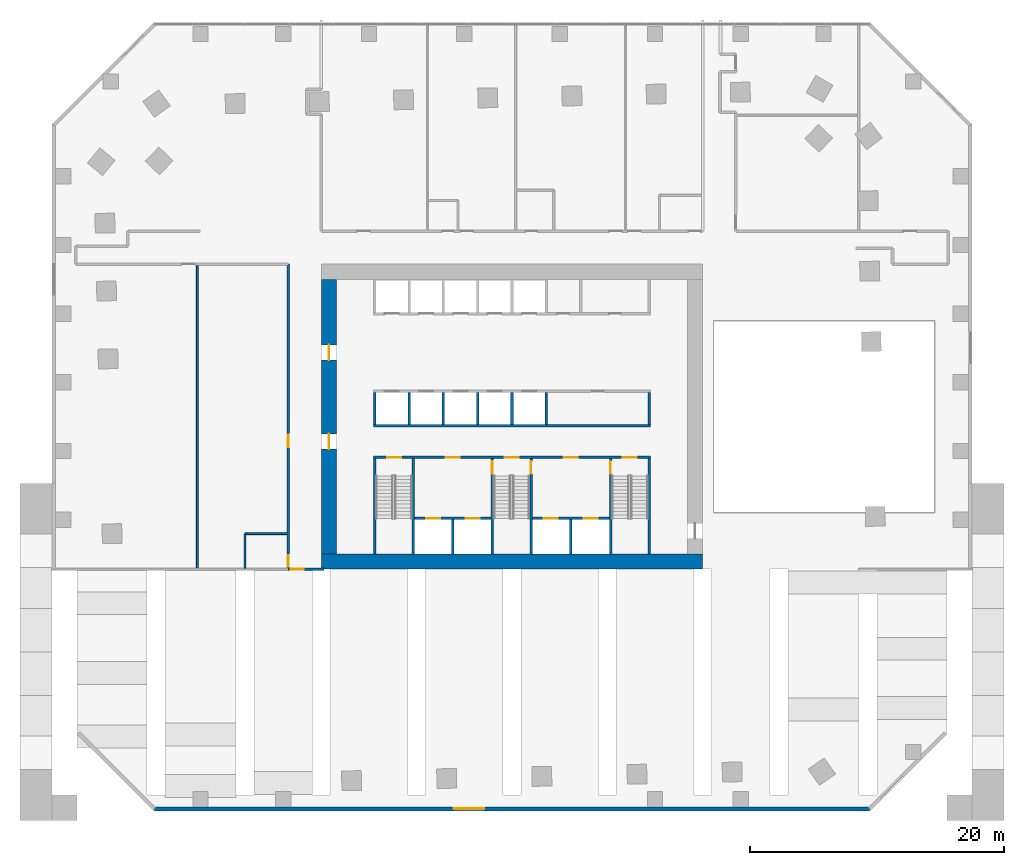
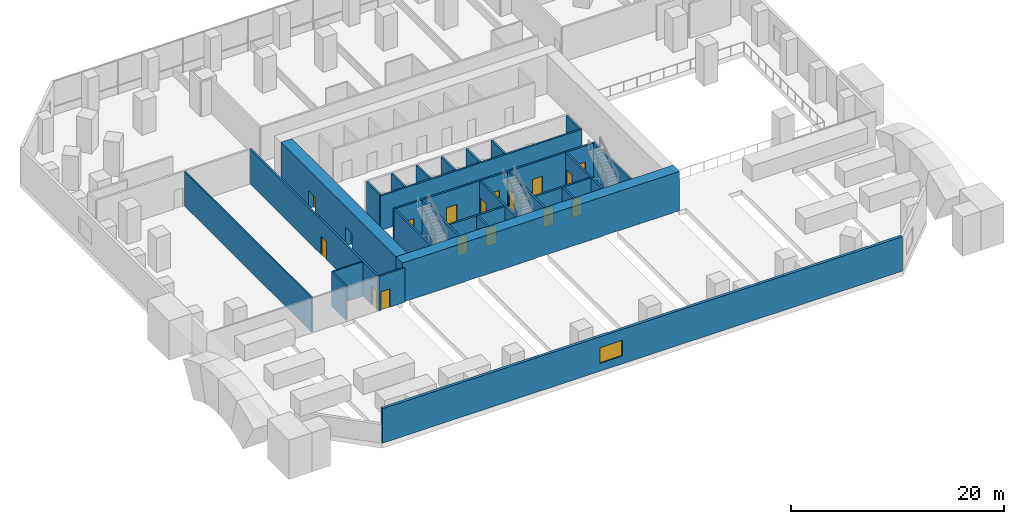
# One storey, part 7 of 13: 27 walls, 17 doors, 1 window, 18 openings.
"""IFC4 building model written with IfcOpenShell, lengths in metres."""

from ifc_helpers import new_model, si_unit, direction, frame, frame_2d, origin, place, context, subcontext, project, spatial, rectangle, extrude, material, layer, layer_set, type_object, element, fill, save


model = new_model("IFC4")

# Units and contexts
model_context = context("Model", 3, precision=1e-05, world=origin(), true_north=direction((0.0, 1.0)))
body_context = subcontext(model_context, "Body", "Model", "MODEL_VIEW")
ifc_project = project(units=[si_unit("LENGTHUNIT", "METRE"), si_unit("AREAUNIT", "SQUARE_METRE"), si_unit("VOLUMEUNIT", "CUBIC_METRE"), si_unit("PLANEANGLEUNIT", "RADIAN"), si_unit("MASSUNIT", "GRAM", prefix="KILO")], contexts=[model_context])

# Site, building, storey
site_placement = place(None, origin())
site = spatial("IfcSite", under=ifc_project, at=site_placement, CompositionType="ELEMENT")
building_placement = place(site_placement, origin())
building = spatial("IfcBuilding", under=site, at=building_placement, Name="Mangrove Gate Tower", CompositionType="ELEMENT")
storey_placement = place(building_placement, frame((0.0, 0.0, 20.5)))
storey = spatial("IfcBuildingStorey", under=building, at=storey_placement, Name="L04", CompositionType="ELEMENT", Elevation=20.5)

# Walls
ifc_material_1 = material(Name="Concrete C32/40", Category="concrete")
ifc_layer_1 = layer(ifc_material_1, 0.199951171875)
ifc_layer_set_1 = layer_set([ifc_layer_1], Name="Core room wall 200 C32/40")
wall_type_1 = type_object("IfcWallType", Name="Core room wall 200 C32/40", PredefinedType="STANDARD", material=ifc_layer_set_1)
wall_1_placement = place(storey_placement, frame((10.800048828125, -0.60009765625, 0.0), z_axis=(0.0, 0.0, 1.0), x_axis=(0.0, 1.0, 0.0)))
element("IfcWall", 1, at=wall_1_placement, inside=storey, type_object=wall_type_1, Name="WALL-L04-CORE-25", PredefinedType="STANDARD", context=body_context, shape_type="SweptSolid", body=[
    extrude(rectangle(XDim=2.5, YDim=0.199951171875, at=frame_2d((1.25, 0.0))), origin(), (0.0, 0.0, 1.0), 3.949951171875),
])
ifc_material_2 = material(Name="Concrete C70/85", Category="concrete")
ifc_layer_2 = layer(ifc_material_2, 0.199951171875)
ifc_layer_set_2 = layer_set([ifc_layer_2], Name="Core shaft wall 200 C70/85")
wall_type_2 = type_object("IfcWallType", Name="Core shaft wall 200 C70/85", PredefinedType="SHEAR", material=ifc_layer_set_2)
wall_2_placement = place(storey_placement, frame((-10.89990234375, -0.699951171875, 0.0), z_axis=(0.0, 0.0, 1.0), x_axis=(1.0, 0.0, 0.0)))
element("IfcWall", 2, at=wall_2_placement, inside=storey, type_object=wall_type_2, Name="WALL-L04-CORE-6", PredefinedType="SHEAR", context=body_context, shape_type="SweptSolid", body=[
    extrude(rectangle(XDim=21.7998046875, YDim=0.199951171875, at=frame_2d((10.89990234375, 0.0))), origin(), (0.0, 0.0, 1.0), 3.949951171875),
])

# Wall, openings, doors
wall_3_placement = place(storey_placement, frame((-7.64990234375, -8.0, 0.0), z_axis=(0.0, 0.0, 1.0), x_axis=(1.0, 0.0, 0.0)))
wall_3 = element("IfcWall", 3, at=wall_3_placement, inside=storey, type_object=wall_type_2, Name="WALL-L04-CORE-15", PredefinedType="SHEAR", context=body_context, shape_type="SweptSolid", body=[
    extrude(rectangle(XDim=6.0, YDim=0.199951171875, at=frame_2d((3.0, 0.0))), origin(), (0.0, 0.0, 1.0), 3.949951171875),
])
opening_1_placement = place(wall_3_placement, frame((0.89990234375, 0.0, 0.0)))
opening_1 = element("IfcOpeningElement", 4, at=opening_1_placement, cuts=wall_3, Name="Opening LD", PredefinedType="OPENING", context=body_context, shape_type="SweptSolid", body=[
    extrude(rectangle(XDim=1.10009765625, YDim=2.10009765625, at=frame_2d((0.550048828125, 1.050048828125))), frame((0.0, 0.10986328125, 0.0), z_axis=(0.0, -1.0, 0.0), x_axis=(1.0, 0.0, 0.0)), (0.0, 0.0, 1.0), 0.219970703125),
])
opening_2_placement = place(wall_3_placement, frame((4.0, 0.0, 0.0)))
opening_2 = element("IfcOpeningElement", 5, at=opening_2_placement, cuts=wall_3, Name="Opening LD", PredefinedType="OPENING", context=body_context, shape_type="SweptSolid", body=[
    extrude(rectangle(XDim=1.10009765625, YDim=2.10009765625, at=frame_2d((0.550048828125, 1.050048828125))), frame((0.0, 0.10986328125, 0.0), z_axis=(0.0, -1.0, 0.0), x_axis=(1.0, 0.0, 0.0)), (0.0, 0.0, 1.0), 0.219970703125),
])
ifc_material_3 = material(Name="Stainless steel 316", Category="steel")
door_type_1 = type_object("IfcDoorType", Name="Lift landing door 1100x2100", OperationType="SLIDING_TO_LEFT", PredefinedType="DOOR", material=ifc_material_3)
door_1_placement = place(opening_1_placement, origin())
door_1 = element("IfcDoor", 6, at=door_1_placement, inside=storey, type_object=door_type_1, Name="Landing door LD SVL1", OperationType="SLIDING_TO_LEFT", OverallHeight=2.10009765625, OverallWidth=1.10009765625, PredefinedType="DOOR", context=body_context, shape_type="SweptSolid", body=[
    extrude(rectangle(XDim=1.10009765625, YDim=2.10009765625, at=frame_2d((0.550048828125, 1.050048828125))), frame((0.0, 0.02490234375, 0.0), z_axis=(0.0, -1.0, 0.0), x_axis=(1.0, 0.0, 0.0)), (0.0, 0.0, 1.0), 0.050048828125),
])
fill(opening_1, door_1)
door_2_placement = place(opening_2_placement, origin())
door_2 = element("IfcDoor", 7, at=door_2_placement, inside=storey, type_object=door_type_1, Name="Landing door LD SVL2", OperationType="SLIDING_TO_LEFT", OverallHeight=2.10009765625, OverallWidth=1.10009765625, PredefinedType="DOOR", context=body_context, shape_type="SweptSolid", body=[
    extrude(rectangle(XDim=1.10009765625, YDim=2.10009765625, at=frame_2d((0.550048828125, 1.050048828125))), frame((0.0, 0.02490234375, 0.0), z_axis=(0.0, -1.0, 0.0), x_axis=(1.0, 0.0, 0.0)), (0.0, 0.0, 1.0), 0.050048828125),
])
fill(opening_2, door_2)

# Wall
wall_4_placement = place(storey_placement, frame((-4.64990234375, -10.800048828125, 0.0), z_axis=(0.0, 0.0, 1.0), x_axis=(0.0, 1.0, 0.0)))
element("IfcWall", 8, at=wall_4_placement, inside=storey, type_object=wall_type_2, Name="WALL-L04-CORE-16", PredefinedType="SHEAR", context=body_context, shape_type="SweptSolid", body=[
    extrude(rectangle(XDim=2.699951171875, YDim=0.199951171875, at=frame_2d((1.35009765625, 0.0))), origin(), (0.0, 0.0, 1.0), 3.949951171875),
])

# Wall, openings, doors
wall_5_placement = place(storey_placement, frame((1.60009765625, -8.0, 0.0), z_axis=(0.0, 0.0, 1.0), x_axis=(1.0, 0.0, 0.0)))
wall_5 = element("IfcWall", 9, at=wall_5_placement, inside=storey, type_object=wall_type_2, Name="WALL-L04-CORE-17", PredefinedType="SHEAR", context=body_context, shape_type="SweptSolid", body=[
    extrude(rectangle(XDim=6.0498046875, YDim=0.199951171875, at=frame_2d((3.02490234375, 0.0))), origin(), (0.0, 0.0, 1.0), 3.949951171875),
])
opening_3_placement = place(wall_5_placement, frame((0.91259765625, 0.0, 0.0)))
opening_3 = element("IfcOpeningElement", 10, at=opening_3_placement, cuts=wall_5, Name="Opening LD", PredefinedType="OPENING", context=body_context, shape_type="SweptSolid", body=[
    extrude(rectangle(XDim=1.10009765625, YDim=2.10009765625, at=frame_2d((0.550048828125, 1.050048828125))), frame((0.0, 0.10986328125, 0.0), z_axis=(0.0, -1.0, 0.0), x_axis=(1.0, 0.0, 0.0)), (0.0, 0.0, 1.0), 0.219970703125),
])
opening_4_placement = place(wall_5_placement, frame((4.03759765625, 0.0, 0.0)))
opening_4 = element("IfcOpeningElement", 11, at=opening_4_placement, cuts=wall_5, Name="Opening LD", PredefinedType="OPENING", context=body_context, shape_type="SweptSolid", body=[
    extrude(rectangle(XDim=1.10009765625, YDim=2.10009765625, at=frame_2d((0.550048828125, 1.050048828125))), frame((0.0, 0.10986328125, 0.0), z_axis=(0.0, -1.0, 0.0), x_axis=(1.0, 0.0, 0.0)), (0.0, 0.0, 1.0), 0.219970703125),
])
door_3_placement = place(opening_3_placement, origin())
door_3 = element("IfcDoor", 12, at=door_3_placement, inside=storey, type_object=door_type_1, Name="Landing door LD FFL1", OperationType="SLIDING_TO_LEFT", OverallHeight=2.10009765625, OverallWidth=1.10009765625, PredefinedType="DOOR", context=body_context, shape_type="SweptSolid", body=[
    extrude(rectangle(XDim=1.10009765625, YDim=2.10009765625, at=frame_2d((0.550048828125, 1.050048828125))), frame((0.0, 0.02490234375, 0.0), z_axis=(0.0, -1.0, 0.0), x_axis=(1.0, 0.0, 0.0)), (0.0, 0.0, 1.0), 0.050048828125),
])
fill(opening_3, door_3)
door_4_placement = place(opening_4_placement, origin())
door_4 = element("IfcDoor", 13, at=door_4_placement, inside=storey, type_object=door_type_1, Name="Landing door LD FFL2", OperationType="SLIDING_TO_LEFT", OverallHeight=2.10009765625, OverallWidth=1.10009765625, PredefinedType="DOOR", context=body_context, shape_type="SweptSolid", body=[
    extrude(rectangle(XDim=1.10009765625, YDim=2.10009765625, at=frame_2d((0.550048828125, 1.050048828125))), frame((0.0, 0.02490234375, 0.0), z_axis=(0.0, -1.0, 0.0), x_axis=(1.0, 0.0, 0.0)), (0.0, 0.0, 1.0), 0.050048828125),
])
fill(opening_4, door_4)

# Walls
wall_6_placement = place(storey_placement, frame((4.625, -10.800048828125, 0.0), z_axis=(0.0, 0.0, 1.0), x_axis=(0.0, 1.0, 0.0)))
element("IfcWall", 14, at=wall_6_placement, inside=storey, type_object=wall_type_2, Name="WALL-L04-CORE-18", PredefinedType="SHEAR", context=body_context, shape_type="SweptSolid", body=[
    extrude(rectangle(XDim=2.699951171875, YDim=0.199951171875, at=frame_2d((1.35009765625, 0.0))), origin(), (0.0, 0.0, 1.0), 3.949951171875),
])
for number, where, z_axis, x_axis, name in (
    (15, (-10.800048828125, -0.60009765625, 0.0), (0.0, 0.0, 1.0), (0.0, 1.0, 0.0), "WALL-L04-CORE-19"),
    (16, (-8.10009765625, -0.60009765625, 0.0), (0.0, 0.0, 1.0), (0.0, 1.0, 0.0), "WALL-L04-CORE-20"),
    (17, (-5.39990234375, -0.60009765625, 0.0), (0.0, 0.0, 1.0), (0.0, 1.0, 0.0), "WALL-L04-CORE-21"),
    (18, (-2.699951171875, -0.60009765625, 0.0), (0.0, 0.0, 1.0), (0.0, 1.0, 0.0), "WALL-L04-CORE-22"),
    (19, (0.0, -0.60009765625, 0.0), (0.0, 0.0, 1.0), (0.0, 1.0, 0.0), "WALL-L04-CORE-23"),
    (20, (2.699951171875, -0.60009765625, 0.0), (0.0, 0.0, 1.0), (0.0, 1.0, 0.0), "WALL-L04-CORE-24"),
):
    element("IfcWall", number, at=place(storey_placement, frame(where, z_axis=z_axis, x_axis=x_axis)), inside=storey, type_object=wall_type_2, Name=name, PredefinedType="SHEAR", context=body_context, shape_type="SweptSolid", body=[
        extrude(rectangle(XDim=2.5, YDim=0.199951171875, at=frame_2d((1.25, 0.0))), origin(), (0.0, 0.0, 1.0), 3.949951171875),
    ])

# Wall, openings, doors
ifc_material_4 = material(Name="Concrete C70/85", Category="concrete")
ifc_layer_3 = layer(ifc_material_4, 0.199951171875)
ifc_layer_set_3 = layer_set([ifc_layer_3], Name="Core stair wall 200 C70/85")
wall_type_3 = type_object("IfcWallType", Name="Core stair wall 200 C70/85", PredefinedType="SHEAR", material=ifc_layer_set_3)
wall_7_placement = place(storey_placement, frame((-10.89990234375, -3.199951171875, 0.0), z_axis=(0.0, 0.0, 1.0), x_axis=(1.0, 0.0, 0.0)))
wall_7 = element("IfcWall", 21, at=wall_7_placement, inside=storey, type_object=wall_type_3, Name="WALL-L04-CORE-5", PredefinedType="SHEAR", context=body_context, shape_type="SweptSolid", body=[
    extrude(rectangle(XDim=21.7998046875, YDim=0.199951171875, at=frame_2d((10.89990234375, 0.0))), origin(), (0.0, 0.0, 1.0), 3.949951171875),
])
opening_5_placement = place(wall_7_placement, frame((1.074951171875, 0.0, 0.0)))
opening_5 = element("IfcOpeningElement", 22, at=opening_5_placement, cuts=wall_7, Name="Opening STD11", PredefinedType="OPENING", context=body_context, shape_type="SweptSolid", body=[
    extrude(rectangle(XDim=1.10009765625, YDim=2.10009765625, at=frame_2d((0.550048828125, 1.050048828125))), frame((0.0, 0.10986328125, 0.0), z_axis=(0.0, -1.0, 0.0), x_axis=(1.0, 0.0, 0.0)), (0.0, 0.0, 1.0), 0.219970703125),
])
opening_6_placement = place(wall_7_placement, frame((10.324951171875, 0.0, 0.0)))
opening_6 = element("IfcOpeningElement", 23, at=opening_6_placement, cuts=wall_7, Name="Opening STD11", PredefinedType="OPENING", context=body_context, shape_type="SweptSolid", body=[
    extrude(rectangle(XDim=1.10009765625, YDim=2.10009765625, at=frame_2d((0.550048828125, 1.050048828125))), frame((0.0, 0.10986328125, 0.0), z_axis=(0.0, -1.0, 0.0), x_axis=(1.0, 0.0, 0.0)), (0.0, 0.0, 1.0), 0.219970703125),
])
opening_7_placement = place(wall_7_placement, frame((19.625, 0.0, 0.0)))
opening_7 = element("IfcOpeningElement", 24, at=opening_7_placement, cuts=wall_7, Name="Opening STD11", PredefinedType="OPENING", context=body_context, shape_type="SweptSolid", body=[
    extrude(rectangle(XDim=1.10009765625, YDim=2.10009765625, at=frame_2d((0.550048828125, 1.050048828125))), frame((0.0, 0.10986328125, 0.0), z_axis=(0.0, -1.0, 0.0), x_axis=(1.0, 0.0, 0.0)), (0.0, 0.0, 1.0), 0.219970703125),
])
opening_8_placement = place(wall_7_placement, frame((5.699951171875, 0.0, 0.0)))
opening_8 = element("IfcOpeningElement", 25, at=opening_8_placement, cuts=wall_7, Name="Opening FL", PredefinedType="OPENING", context=body_context, shape_type="SweptSolid", body=[
    extrude(rectangle(XDim=1.10009765625, YDim=2.10009765625, at=frame_2d((0.550048828125, 1.050048828125))), frame((0.0, 0.10986328125, 0.0), z_axis=(0.0, -1.0, 0.0), x_axis=(1.0, 0.0, 0.0)), (0.0, 0.0, 1.0), 0.219970703125),
])
opening_9_placement = place(wall_7_placement, frame((14.97509765625, 0.0, 0.0)))
opening_9 = element("IfcOpeningElement", 26, at=opening_9_placement, cuts=wall_7, Name="Opening FL", PredefinedType="OPENING", context=body_context, shape_type="SweptSolid", body=[
    extrude(rectangle(XDim=1.10009765625, YDim=2.10009765625, at=frame_2d((0.550048828125, 1.050048828125))), frame((0.0, 0.10986328125, 0.0), z_axis=(0.0, -1.0, 0.0), x_axis=(1.0, 0.0, 0.0)), (0.0, 0.0, 1.0), 0.219970703125),
])
ifc_material_5 = material(Name="Fire-rated steel door set", Category="steel")
door_type_2 = type_object("IfcDoorType", Name="Lobby door FD60 1100x2100", OperationType="SINGLE_SWING_LEFT", PredefinedType="DOOR", material=ifc_material_5)
door_5_placement = place(opening_8_placement, origin())
door_5 = element("IfcDoor", 27, at=door_5_placement, inside=storey, type_object=door_type_2, Name="Lobby door service lobby", OperationType="SINGLE_SWING_LEFT", OverallHeight=2.10009765625, OverallWidth=1.10009765625, PredefinedType="DOOR", context=body_context, shape_type="SweptSolid", body=[
    extrude(rectangle(XDim=1.10009765625, YDim=2.10009765625, at=frame_2d((0.550048828125, 1.050048828125))), frame((0.0, 0.02490234375, 0.0), z_axis=(0.0, -1.0, 0.0), x_axis=(1.0, 0.0, 0.0)), (0.0, 0.0, 1.0), 0.050048828125),
])
fill(opening_8, door_5)
door_6_placement = place(opening_9_placement, origin())
door_6 = element("IfcDoor", 28, at=door_6_placement, inside=storey, type_object=door_type_2, Name="Lobby door fire-fighting lobby", OperationType="SINGLE_SWING_LEFT", OverallHeight=2.10009765625, OverallWidth=1.10009765625, PredefinedType="DOOR", context=body_context, shape_type="SweptSolid", body=[
    extrude(rectangle(XDim=1.10009765625, YDim=2.10009765625, at=frame_2d((0.550048828125, 1.050048828125))), frame((0.0, 0.02490234375, 0.0), z_axis=(0.0, -1.0, 0.0), x_axis=(1.0, 0.0, 0.0)), (0.0, 0.0, 1.0), 0.050048828125),
])
fill(opening_9, door_6)
ifc_material_6 = material(Name="Fire-rated steel door set", Category="steel")
door_type_3 = type_object("IfcDoorType", Name="Stair door FD60 1100x2100", OperationType="SINGLE_SWING_RIGHT", PredefinedType="DOOR", material=ifc_material_6)
door_7_placement = place(opening_5_placement, origin())
door_7 = element("IfcDoor", 29, at=door_7_placement, inside=storey, type_object=door_type_3, Name="Stair door Stair 1", OperationType="SINGLE_SWING_RIGHT", OverallHeight=2.10009765625, OverallWidth=1.10009765625, PredefinedType="DOOR", context=body_context, shape_type="SweptSolid", body=[
    extrude(rectangle(XDim=1.10009765625, YDim=2.10009765625, at=frame_2d((0.550048828125, 1.050048828125))), frame((0.0, 0.02490234375, 0.0), z_axis=(0.0, -1.0, 0.0), x_axis=(1.0, 0.0, 0.0)), (0.0, 0.0, 1.0), 0.050048828125),
])
fill(opening_5, door_7)
door_8_placement = place(opening_6_placement, origin())
door_8 = element("IfcDoor", 30, at=door_8_placement, inside=storey, type_object=door_type_3, Name="Stair door Stair 2", OperationType="SINGLE_SWING_RIGHT", OverallHeight=2.10009765625, OverallWidth=1.10009765625, PredefinedType="DOOR", context=body_context, shape_type="SweptSolid", body=[
    extrude(rectangle(XDim=1.10009765625, YDim=2.10009765625, at=frame_2d((0.550048828125, 1.050048828125))), frame((0.0, 0.02490234375, 0.0), z_axis=(0.0, -1.0, 0.0), x_axis=(1.0, 0.0, 0.0)), (0.0, 0.0, 1.0), 0.050048828125),
])
fill(opening_6, door_8)
door_9_placement = place(opening_7_placement, origin())
door_9 = element("IfcDoor", 31, at=door_9_placement, inside=storey, type_object=door_type_3, Name="Stair door Stair 3", OperationType="SINGLE_SWING_RIGHT", OverallHeight=2.10009765625, OverallWidth=1.10009765625, PredefinedType="DOOR", context=body_context, shape_type="SweptSolid", body=[
    extrude(rectangle(XDim=1.10009765625, YDim=2.10009765625, at=frame_2d((0.550048828125, 1.050048828125))), frame((0.0, 0.02490234375, 0.0), z_axis=(0.0, -1.0, 0.0), x_axis=(1.0, 0.0, 0.0)), (0.0, 0.0, 1.0), 0.050048828125),
])
fill(opening_7, door_9)

# Walls
for number, where, z_axis, x_axis, name in (
    (32, (-10.800048828125, -10.800048828125, 0.0), (0.0, 0.0, 1.0), (0.0, 1.0, 0.0), "WALL-L04-CORE-9"),
    (33, (-7.75, -10.800048828125, 0.0), (0.0, 0.0, 1.0), (0.0, 1.0, 0.0), "WALL-L04-CORE-10"),
):
    element("IfcWall", number, at=place(storey_placement, frame(where, z_axis=z_axis, x_axis=x_axis)), inside=storey, type_object=wall_type_3, Name=name, PredefinedType="SHEAR", context=body_context, shape_type="SweptSolid", body=[
        extrude(rectangle(XDim=7.5, YDim=0.199951171875, at=frame_2d((3.75, 0.0))), origin(), (0.0, 0.0, 1.0), 3.949951171875),
    ])

# Wall, opening, door
wall_8_placement = place(storey_placement, frame((-1.550048828125, -10.800048828125, 0.0), z_axis=(0.0, 0.0, 1.0), x_axis=(0.0, 1.0, 0.0)))
wall_8 = element("IfcWall", 34, at=wall_8_placement, inside=storey, type_object=wall_type_3, Name="WALL-L04-CORE-11", PredefinedType="SHEAR", context=body_context, shape_type="SweptSolid", body=[
    extrude(rectangle(XDim=7.5, YDim=0.199951171875, at=frame_2d((3.75, 0.0))), origin(), (0.0, 0.0, 1.0), 3.949951171875),
])
opening_10_placement = place(wall_8_placement, frame((6.300048828125, 0.0, 0.0)))
opening_10 = element("IfcOpeningElement", 35, at=opening_10_placement, cuts=wall_8, Name="Opening STD10", PredefinedType="OPENING", context=body_context, shape_type="SweptSolid", body=[
    extrude(rectangle(XDim=1.0, YDim=2.10009765625, at=frame_2d((0.5, 1.050048828125))), frame((0.0, 0.10986328125, 0.0), z_axis=(0.0, -1.0, 0.0), x_axis=(1.0, 0.0, 0.0)), (0.0, 0.0, 1.0), 0.219970703125),
])
ifc_material_7 = material(Name="Fire-rated steel door set", Category="steel")
door_type_4 = type_object("IfcDoorType", Name="Stair door FD60 1000x2100", OperationType="SINGLE_SWING_RIGHT", PredefinedType="DOOR", material=ifc_material_7)
door_10_placement = place(opening_10_placement, origin())
door_10 = element("IfcDoor", 36, at=door_10_placement, inside=storey, type_object=door_type_4, Name="Stair door Stair 2 from service lobby", OperationType="SINGLE_SWING_RIGHT", OverallHeight=2.10009765625, OverallWidth=1.0, PredefinedType="DOOR", context=body_context, shape_type="SweptSolid", body=[
    extrude(rectangle(XDim=1.0, YDim=2.10009765625, at=frame_2d((0.5, 1.050048828125))), frame((0.0, 0.02490234375, 0.0), z_axis=(0.0, -1.0, 0.0), x_axis=(1.0, 0.0, 0.0)), (0.0, 0.0, 1.0), 0.050048828125),
])
fill(opening_10, door_10)

wall_9_placement = place(storey_placement, frame((1.5, -10.800048828125, 0.0), z_axis=(0.0, 0.0, 1.0), x_axis=(0.0, 1.0, 0.0)))
wall_9 = element("IfcWall", 37, at=wall_9_placement, inside=storey, type_object=wall_type_3, Name="WALL-L04-CORE-12", PredefinedType="SHEAR", context=body_context, shape_type="SweptSolid", body=[
    extrude(rectangle(XDim=7.5, YDim=0.199951171875, at=frame_2d((3.75, 0.0))), origin(), (0.0, 0.0, 1.0), 3.949951171875),
])
opening_11_placement = place(wall_9_placement, frame((6.300048828125, 0.0, 0.0)))
opening_11 = element("IfcOpeningElement", 38, at=opening_11_placement, cuts=wall_9, Name="Opening STD10", PredefinedType="OPENING", context=body_context, shape_type="SweptSolid", body=[
    extrude(rectangle(XDim=1.0, YDim=2.10009765625, at=frame_2d((0.5, 1.050048828125))), frame((0.0, 0.10986328125, 0.0), z_axis=(0.0, -1.0, 0.0), x_axis=(1.0, 0.0, 0.0)), (0.0, 0.0, 1.0), 0.219970703125),
])
door_11_placement = place(opening_11_placement, origin())
door_11 = element("IfcDoor", 39, at=door_11_placement, inside=storey, type_object=door_type_4, Name="Stair door Stair 2 from fire-fighting lobby", OperationType="SINGLE_SWING_RIGHT", OverallHeight=2.10009765625, OverallWidth=1.0, PredefinedType="DOOR", context=body_context, shape_type="SweptSolid", body=[
    extrude(rectangle(XDim=1.0, YDim=2.10009765625, at=frame_2d((0.5, 1.050048828125))), frame((0.0, 0.02490234375, 0.0), z_axis=(0.0, -1.0, 0.0), x_axis=(1.0, 0.0, 0.0)), (0.0, 0.0, 1.0), 0.050048828125),
])
fill(opening_11, door_11)

wall_10_placement = place(storey_placement, frame((7.75, -10.800048828125, 0.0), z_axis=(0.0, 0.0, 1.0), x_axis=(0.0, 1.0, 0.0)))
wall_10 = element("IfcWall", 40, at=wall_10_placement, inside=storey, type_object=wall_type_3, Name="WALL-L04-CORE-13", PredefinedType="SHEAR", context=body_context, shape_type="SweptSolid", body=[
    extrude(rectangle(XDim=7.5, YDim=0.199951171875, at=frame_2d((3.75, 0.0))), origin(), (0.0, 0.0, 1.0), 3.949951171875),
])
opening_12_placement = place(wall_10_placement, frame((6.300048828125, 0.0, 0.0)))
opening_12 = element("IfcOpeningElement", 41, at=opening_12_placement, cuts=wall_10, Name="Opening STD10", PredefinedType="OPENING", context=body_context, shape_type="SweptSolid", body=[
    extrude(rectangle(XDim=1.0, YDim=2.10009765625, at=frame_2d((0.5, 1.050048828125))), frame((0.0, 0.10986328125, 0.0), z_axis=(0.0, -1.0, 0.0), x_axis=(1.0, 0.0, 0.0)), (0.0, 0.0, 1.0), 0.219970703125),
])
door_12_placement = place(opening_12_placement, origin())
door_12 = element("IfcDoor", 42, at=door_12_placement, inside=storey, type_object=door_type_4, Name="Stair door Stair 3 from fire-fighting lobby", OperationType="SINGLE_SWING_RIGHT", OverallHeight=2.10009765625, OverallWidth=1.0, PredefinedType="DOOR", context=body_context, shape_type="SweptSolid", body=[
    extrude(rectangle(XDim=1.0, YDim=2.10009765625, at=frame_2d((0.5, 1.050048828125))), frame((0.0, 0.02490234375, 0.0), z_axis=(0.0, -1.0, 0.0), x_axis=(1.0, 0.0, 0.0)), (0.0, 0.0, 1.0), 0.050048828125),
])
fill(opening_12, door_12)

# Walls
wall_11_placement = place(storey_placement, frame((10.800048828125, -10.800048828125, 0.0), z_axis=(0.0, 0.0, 1.0), x_axis=(0.0, 1.0, 0.0)))
element("IfcWall", 43, at=wall_11_placement, inside=storey, type_object=wall_type_3, Name="WALL-L04-CORE-14", PredefinedType="SHEAR", context=body_context, shape_type="SweptSolid", body=[
    extrude(rectangle(XDim=7.5, YDim=0.199951171875, at=frame_2d((3.75, 0.0))), origin(), (0.0, 0.0, 1.0), 3.949951171875),
])
ifc_material_8 = material(Name="Concrete C70/85", Category="concrete")
ifc_layer_4 = layer(ifc_material_8, 1.199951171875)
ifc_layer_set_4 = layer_set([ifc_layer_4], Name="Core wall 1200 C70/85")
wall_type_4 = type_object("IfcWallType", Name="Core wall 1200 C70/85", PredefinedType="SHEAR", material=ifc_layer_set_4)
wall_12_placement = place(storey_placement, frame((-15.0, -11.39990234375, 0.0), z_axis=(0.0, 0.0, 1.0), x_axis=(1.0, 0.0, 0.0)))
element("IfcWall", 44, at=wall_12_placement, inside=storey, type_object=wall_type_4, Name="WALL-L04-CORE-1", PredefinedType="SHEAR", context=body_context, shape_type="SweptSolid", body=[
    extrude(rectangle(XDim=30.0, YDim=1.199951171875, at=frame_2d((15.0, 0.0))), origin(), (0.0, 0.0, 1.0), 4.5),
])

# Wall, openings, doors
wall_13_placement = place(storey_placement, frame((-14.39990234375, -10.800048828125, 0.0), z_axis=(0.0, 0.0, 1.0), x_axis=(0.0, 1.0, 0.0)))
wall_13 = element("IfcWall", 45, at=wall_13_placement, inside=storey, type_object=wall_type_4, Name="WALL-L04-CORE-3", PredefinedType="SHEAR", context=body_context, shape_type="SweptSolid", body=[
    extrude(rectangle(XDim=21.60009765625, YDim=1.199951171875, at=frame_2d((10.800048828125, 0.0))), origin(), (0.0, 0.0, 1.0), 4.5),
])
opening_13_placement = place(wall_13_placement, frame((8.25, 0.0, 0.0)))
opening_13 = element("IfcOpeningElement", 46, at=opening_13_placement, cuts=wall_13, Name="Opening CD", PredefinedType="OPENING", context=body_context, shape_type="SweptSolid", body=[
    extrude(rectangle(XDim=1.199951171875, YDim=2.10009765625, at=frame_2d((0.60009765625, 1.050048828125))), frame((0.0, 0.60986328125, 0.0), z_axis=(0.0, -1.0, 0.0), x_axis=(1.0, 0.0, 0.0)), (0.0, 0.0, 1.0), 1.219970703125),
])
opening_14_placement = place(wall_13_placement, frame((15.25, 0.0, 0.0)))
opening_14 = element("IfcOpeningElement", 47, at=opening_14_placement, cuts=wall_13, Name="Opening CD", PredefinedType="OPENING", context=body_context, shape_type="SweptSolid", body=[
    extrude(rectangle(XDim=1.199951171875, YDim=2.10009765625, at=frame_2d((0.60009765625, 1.050048828125))), frame((0.0, 0.60986328125, 0.0), z_axis=(0.0, -1.0, 0.0), x_axis=(1.0, 0.0, 0.0)), (0.0, 0.0, 1.0), 1.219970703125),
])
ifc_material_9 = material(Name="Fire-rated steel door set", Category="steel")
door_type_5 = type_object("IfcDoorType", Name="Core ring door FD60 1200x2100", OperationType="DOUBLE_DOOR_SINGLE_SWING", PredefinedType="DOOR", material=ifc_material_9)
door_13_placement = place(opening_13_placement, origin())
door_13 = element("IfcDoor", 48, at=door_13_placement, inside=storey, type_object=door_type_5, Name="Core ring door W1", OperationType="DOUBLE_DOOR_SINGLE_SWING", OverallHeight=2.10009765625, OverallWidth=1.199951171875, PredefinedType="DOOR", context=body_context, shape_type="SweptSolid", body=[
    extrude(rectangle(XDim=1.199951171875, YDim=2.10009765625, at=frame_2d((0.60009765625, 1.050048828125))), frame((0.0, 0.02490234375, 0.0), z_axis=(0.0, -1.0, 0.0), x_axis=(1.0, 0.0, 0.0)), (0.0, 0.0, 1.0), 0.050048828125),
])
fill(opening_13, door_13)
door_14_placement = place(opening_14_placement, origin())
door_14 = element("IfcDoor", 49, at=door_14_placement, inside=storey, type_object=door_type_5, Name="Core ring door W2", OperationType="DOUBLE_DOOR_SINGLE_SWING", OverallHeight=2.10009765625, OverallWidth=1.199951171875, PredefinedType="DOOR", context=body_context, shape_type="SweptSolid", body=[
    extrude(rectangle(XDim=1.199951171875, YDim=2.10009765625, at=frame_2d((0.60009765625, 1.050048828125))), frame((0.0, 0.02490234375, 0.0), z_axis=(0.0, -1.0, 0.0), x_axis=(1.0, 0.0, 0.0)), (0.0, 0.0, 1.0), 0.050048828125),
])
fill(opening_14, door_14)

# Wall, opening, door
ifc_material_10 = material(Name="Gypsum board on steel stud, EI 60", Category="steel")
ifc_layer_5 = layer(ifc_material_10, 0.199951171875)
ifc_layer_set_5 = layer_set([ifc_layer_5], Name="Corridor wall EI 60")
wall_type_5 = type_object("IfcWallType", Name="Corridor wall EI 60", PredefinedType="PARTITIONING", material=ifc_layer_set_5)
wall_14_placement = place(storey_placement, frame((-17.60009765625, -12.0, 0.0), z_axis=(0.0, 0.0, 1.0), x_axis=(1.0, 0.0, 0.0)))
wall_14 = element("IfcWall", 50, at=wall_14_placement, inside=storey, type_object=wall_type_5, Name="WALL-L04-004", PredefinedType="PARTITIONING", context=body_context, shape_type="SweptSolid", body=[
    extrude(rectangle(XDim=2.800048828125, YDim=0.199951171875, at=frame_2d((1.39990234375, 0.0))), origin(), (0.0, 0.0, 1.0), 3.949951171875),
])
opening_15_placement = place(wall_14_placement, frame((0.199951171875, 0.0, 0.0)))
opening_15 = element("IfcOpeningElement", 51, at=opening_15_placement, cuts=wall_14, Name="Opening AD", PredefinedType="OPENING", context=body_context, shape_type="SweptSolid", body=[
    extrude(rectangle(XDim=1.0, YDim=2.10009765625, at=frame_2d((0.5, 1.050048828125))), frame((0.0, 0.10986328125, 0.0), z_axis=(0.0, -1.0, 0.0), x_axis=(1.0, 0.0, 0.0)), (0.0, 0.0, 1.0), 0.219970703125),
])
ifc_material_11 = material(Name="Timber door leaf", Category="wood")
door_type_6 = type_object("IfcDoorType", Name="Amenity door 1000", OperationType="SINGLE_SWING_LEFT", PredefinedType="DOOR", material=ifc_material_11)
door_15_placement = place(opening_15_placement, origin())
door_15 = element("IfcDoor", 52, at=door_15_placement, inside=storey, type_object=door_type_6, Name="DOOR-L04-POD-GAL", OperationType="SINGLE_SWING_RIGHT", OverallHeight=2.10009765625, OverallWidth=1.0, PredefinedType="DOOR", context=body_context, shape_type="SweptSolid", body=[
    extrude(rectangle(XDim=1.0, YDim=2.10009765625, at=frame_2d((0.5, 1.050048828125))), frame((0.0, 0.02490234375, 0.0), z_axis=(0.0, -1.0, 0.0), x_axis=(1.0, 0.0, 0.0)), (0.0, 0.0, 1.0), 0.050048828125),
])
fill(opening_15, door_15)

# Wall, openings, doors
wall_15_placement = place(storey_placement, frame((-17.60009765625, -12.0, 0.0), z_axis=(0.0, 0.0, 1.0), x_axis=(0.0, 1.0, 0.0)))
wall_15 = element("IfcWall", 53, at=wall_15_placement, inside=storey, type_object=wall_type_5, Name="WALL-L04-005", PredefinedType="PARTITIONING", context=body_context, shape_type="SweptSolid", body=[
    extrude(rectangle(XDim=24.0, YDim=0.199951171875, at=frame_2d((12.0, 0.0))), origin(), (0.0, 0.0, 1.0), 3.949951171875),
])
opening_16_placement = place(wall_15_placement, frame((9.577880859375, 0.0, 0.0)))
opening_16 = element("IfcOpeningElement", 54, at=opening_16_placement, cuts=wall_15, Name="Opening AD", PredefinedType="OPENING", context=body_context, shape_type="SweptSolid", body=[
    extrude(rectangle(XDim=1.0, YDim=2.10009765625, at=frame_2d((0.5, 1.050048828125))), frame((0.0, 0.10986328125, 0.0), z_axis=(0.0, -1.0, 0.0), x_axis=(1.0, 0.0, 0.0)), (0.0, 0.0, 1.0), 0.219970703125),
])
opening_17_placement = place(wall_15_placement, frame((0.199951171875, 0.0, 0.0)))
opening_17 = element("IfcOpeningElement", 55, at=opening_17_placement, cuts=wall_15, Name="Opening SD", PredefinedType="OPENING", context=body_context, shape_type="SweptSolid", body=[
    extrude(rectangle(XDim=0.89990234375, YDim=2.10009765625, at=frame_2d((0.449951171875, 1.050048828125))), frame((0.0, 0.10986328125, 0.0), z_axis=(0.0, -1.0, 0.0), x_axis=(1.0, 0.0, 0.0)), (0.0, 0.0, 1.0), 0.219970703125),
])
door_16_placement = place(opening_16_placement, origin())
door_16 = element("IfcDoor", 56, at=door_16_placement, inside=storey, type_object=door_type_6, Name="DOOR-L04-POD-01", OperationType="SINGLE_SWING_LEFT", OverallHeight=2.10009765625, OverallWidth=1.0, PredefinedType="DOOR", context=body_context, shape_type="SweptSolid", body=[
    extrude(rectangle(XDim=1.0, YDim=2.10009765625, at=frame_2d((0.5, 1.050048828125))), frame((0.0, 0.02490234375, 0.0), z_axis=(0.0, -1.0, 0.0), x_axis=(1.0, 0.0, 0.0)), (0.0, 0.0, 1.0), 0.050048828125),
])
fill(opening_16, door_16)
ifc_material_12 = material(Name="Timber door leaf", Category="wood")
door_type_7 = type_object("IfcDoorType", Name="Service room door 900", OperationType="SINGLE_SWING_LEFT", PredefinedType="DOOR", material=ifc_material_12)
door_17_placement = place(opening_17_placement, origin())
door_17 = element("IfcDoor", 57, at=door_17_placement, inside=storey, type_object=door_type_7, Name="DOOR-L04-PSV-01", OperationType="SINGLE_SWING_LEFT", OverallHeight=2.10009765625, OverallWidth=0.89990234375, PredefinedType="DOOR", context=body_context, shape_type="SweptSolid", body=[
    extrude(rectangle(XDim=0.89990234375, YDim=2.10009765625, at=frame_2d((0.449951171875, 1.050048828125))), frame((0.0, 0.02490234375, 0.0), z_axis=(0.0, -1.0, 0.0), x_axis=(1.0, 0.0, 0.0)), (0.0, 0.0, 1.0), 0.050048828125),
])
fill(opening_17, door_17)

# Wall, opening, window
ifc_material_13 = material(Name="Limestone", Category="masonry")
ifc_layer_6 = layer(ifc_material_13, 0.0400390625, Name="Limestone cladding")
ifc_material_14 = material(Name="Ventilated air gap")
ifc_layer_7 = layer(ifc_material_14, 0.0400390625, Name="Ventilated cavity")
ifc_material_15 = material(Name="Mineral wool insulation")
ifc_layer_8 = layer(ifc_material_15, 0.06005859375, Name="Insulation")
ifc_material_16 = material(Name="Breather membrane")
ifc_layer_9 = layer(ifc_material_16, 0.001953125, Name="Breather membrane")
ifc_material_17 = material(Name="Concrete C20/25 blockwork", Category="masonry")
ifc_layer_10 = layer(ifc_material_17, 0.14990234375, Name="Blockwork backing wall")
ifc_material_18 = material(Name="Gypsum plaster")
ifc_layer_11 = layer(ifc_material_18, 0.008056640625, Name="Internal plaster")
ifc_layer_set_6 = layer_set([ifc_layer_6, ifc_layer_7, ifc_layer_8, ifc_layer_9, ifc_layer_10, ifc_layer_11], Name="External wall 300 limestone cladding")
wall_type_6 = type_object("IfcWallType", Name="External wall 300 limestone cladding", PredefinedType="SOLIDWALL", material=ifc_layer_set_6)
wall_16_placement = place(storey_placement, frame((-28.137939453125, -30.85009765625, 0.0), z_axis=(0.0, 0.0, 1.0), x_axis=(1.0, 0.0, 0.0)))
wall_16 = element("IfcWall", 58, at=wall_16_placement, inside=storey, type_object=wall_type_6, Name="WALL-L04-S7", PredefinedType="SOLIDWALL", context=body_context, shape_type="SweptSolid", body=[
    extrude(rectangle(XDim=56.27587890625, YDim=0.300048828125, at=frame_2d((28.137939453125, 0.0))), origin(), (0.0, 0.0, 1.0), 3.949951171875),
])
opening_18_placement = place(wall_16_placement, frame((23.56298828125, 0.0, 0.89990234375)))
opening_18 = element("IfcOpeningElement", 59, at=opening_18_placement, cuts=wall_16, Name="Opening W3", PredefinedType="OPENING", context=body_context, shape_type="SweptSolid", body=[
    extrude(rectangle(XDim=2.39990234375, YDim=1.800048828125, at=frame_2d((1.199951171875, 0.89990234375))), frame((0.0, 0.159912109375, 0.0), z_axis=(0.0, -1.0, 0.0), x_axis=(1.0, 0.0, 0.0)), (0.0, 0.0, 1.0), 0.320068359375),
])
ifc_material_19 = material(Name="Aluminium frame with double-glazed low-e glass", Category="aluminium")
window_type = type_object("IfcWindowType", Name="Podium window 2400x1800", PartitioningType="DOUBLE_PANEL_VERTICAL", PredefinedType="WINDOW", material=ifc_material_19)
window_placement = place(opening_18_placement, origin())
window = element("IfcWindow", 60, at=window_placement, inside=storey, type_object=window_type, Name="WIN-L04-S7-1", OverallHeight=1.800048828125, OverallWidth=2.39990234375, PartitioningType="DOUBLE_PANEL_VERTICAL", PredefinedType="WINDOW", context=body_context, shape_type="SweptSolid", body=[
    extrude(rectangle(XDim=2.39990234375, YDim=1.800048828125, at=frame_2d((1.199951171875, 0.89990234375))), frame((0.0, 0.030029296875, 0.0), z_axis=(0.0, -1.0, 0.0), x_axis=(1.0, 0.0, 0.0)), (0.0, 0.0, 1.0), 0.06005859375),
])
fill(opening_18, window)

# Walls
ifc_material_20 = material(Name="Gypsum board on steel stud, EI 60", Category="steel")
ifc_layer_12 = layer(ifc_material_20, 0.14990234375)
ifc_layer_set_7 = layer_set([ifc_layer_12], Name="Party wall 150 EI 60")
wall_type_7 = type_object("IfcWallType", Name="Party wall 150 EI 60", PredefinedType="PARTITIONING", material=ifc_layer_set_7)
wall_17_placement = place(storey_placement, frame((-24.75, -11.925048828125, 0.0), z_axis=(0.0, 0.0, 1.0), x_axis=(0.0, 1.0, 0.0)))
element("IfcWall", 61, at=wall_17_placement, inside=storey, type_object=wall_type_7, Name="WALL-L04-002", PredefinedType="PARTITIONING", context=body_context, shape_type="SweptSolid", body=[
    extrude(rectangle(XDim=23.824951171875, YDim=0.14990234375, at=frame_2d((11.91259765625, 0.0))), origin(), (0.0, 0.0, 1.0), 3.949951171875),
])
wall_18_placement = place(storey_placement, frame((-21.0, -11.925048828125, 0.0), z_axis=(0.0, 0.0, 1.0), x_axis=(0.0, 1.0, 0.0)))
element("IfcWall", 62, at=wall_18_placement, inside=storey, type_object=wall_type_7, Name="WALL-L04-003", PredefinedType="PARTITIONING", context=body_context, shape_type="SweptSolid", body=[
    extrude(rectangle(XDim=2.72509765625, YDim=0.14990234375, at=frame_2d((1.362548828125, 0.0))), origin(), (0.0, 0.0, 1.0), 3.949951171875),
])
wall_19_placement = place(storey_placement, frame((-21.0, -9.199951171875, 0.0), z_axis=(0.0, 0.0, 1.0), x_axis=(1.0, 0.0, 0.0)))
element("IfcWall", 63, at=wall_19_placement, inside=storey, type_object=wall_type_7, Name="WALL-L04-007", PredefinedType="PARTITIONING", context=body_context, shape_type="SweptSolid", body=[
    extrude(rectangle(XDim=3.300048828125, YDim=0.14990234375, at=frame_2d((1.64990234375, 0.0))), origin(), (0.0, 0.0, 1.0), 3.949951171875),
])

save(model, "model.ifc")
